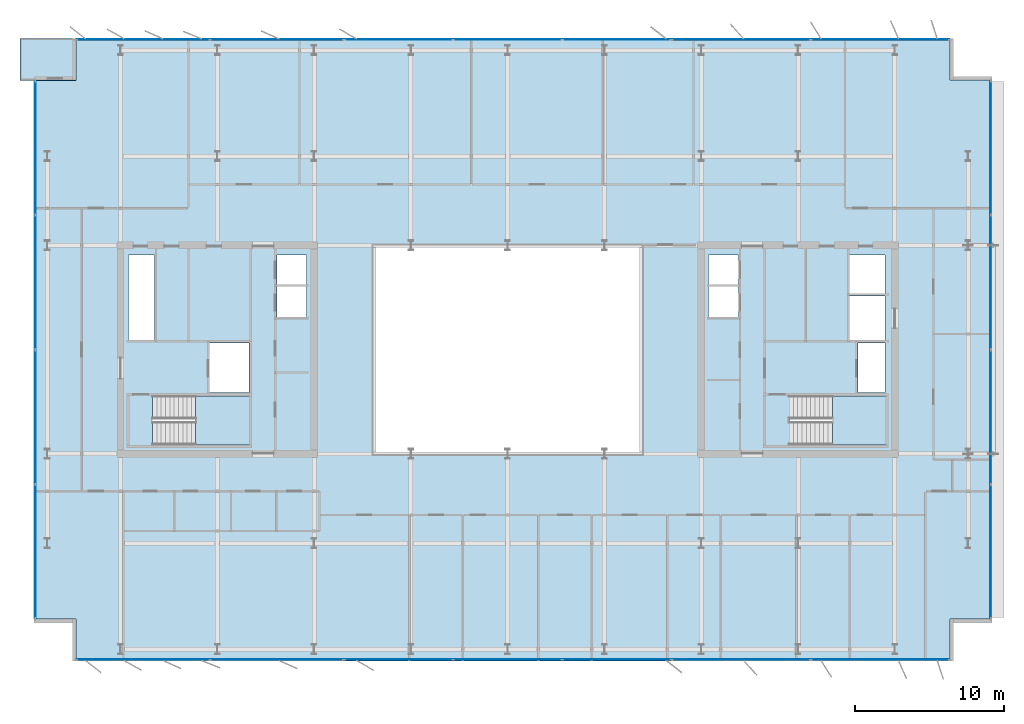
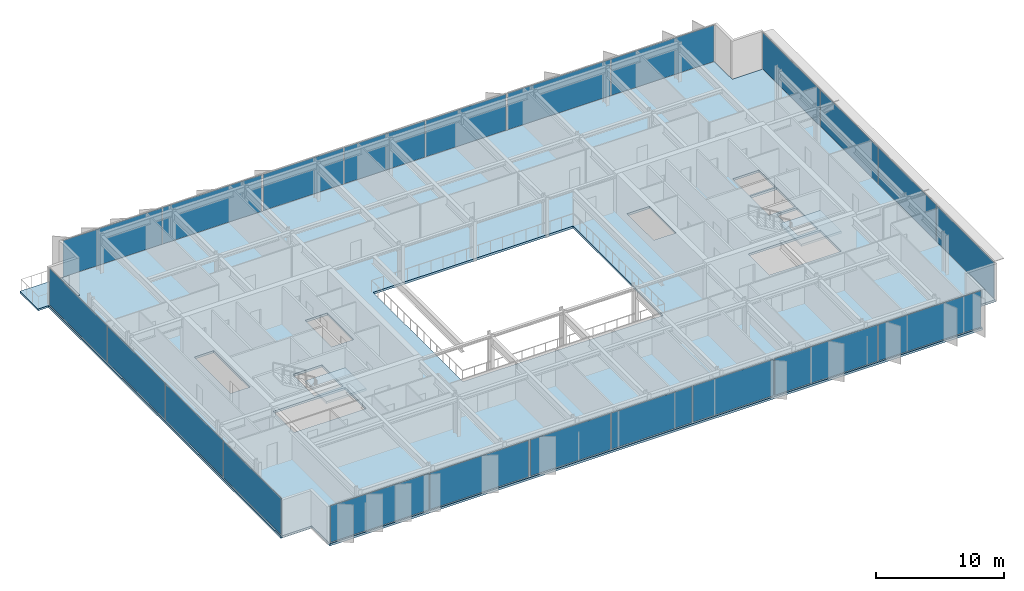
# One storey, part 11 of 20: 22 plates, 4 slabs, 10 elements without a shape of their own.
"""IFC4 building model written with IfcOpenShell, lengths in metres."""

import ifcopenshell
import ifcopenshell.guid

model = None  # the IFC model being written
_history = None  # IfcOwnerHistory: only IFC2X3 demands one
_inside = {}  # id of a spatial element -> (the spatial element, [elements in it])
_under = {}  # id of a project, library or spatial element -> (it, [spatial elements below it])
_declared = {}  # id of a project -> (the project, [libraries it declares])
_typed = {}  # id of a type object -> (the type object, [elements of that type])
_made_of = {}  # id of a material, layer set ... -> (it, [elements and type objects made of it])


def new_model(schema):
    """Start an empty IFC model of exactly this schema.

    Asked for "IFC4X3", IfcOpenShell would pick the latest addendum, in which some entities
    have other attributes; the version numbers below select the first issue.
    IFC2X3 requires an IfcOwnerHistory on every rooted entity: one is made here for all.
    """
    global model, _history
    if schema == "IFC4X3":
        model = ifcopenshell.file(schema_version=(4, 3, 0, 0))
    else:
        model = ifcopenshell.file(schema=schema)
    _inside.clear()
    _under.clear()
    _declared.clear()
    _typed.clear()
    _made_of.clear()
    _history = None
    if model.schema == "IFC2X3":
        org = make("IfcOrganization", Name="unknown")
        user = make(
            "IfcPersonAndOrganization",
            ThePerson=make("IfcPerson", FamilyName="unknown"),
            TheOrganization=org,
        )
        app = make(
            "IfcApplication",
            ApplicationDeveloper=org,
            Version="unknown",
            ApplicationFullName="unknown",
            ApplicationIdentifier="unknown",
        )
        _history = make(
            "IfcOwnerHistory",
            OwningUser=user,
            OwningApplication=app,
            ChangeAction="ADDED",
            CreationDate=0,
        )
    return model


def make(cls, **values):
    """One entity of the class cls with the attributes given. An attribute that is None is left unset."""
    return model.create_entity(
        cls, **{name: value for name, value in values.items() if value is not None}
    )


def rooted(cls, **values):
    """An entity with a GlobalId (a new one), such as an element, a storey or a relation."""
    return make(cls, GlobalId=ifcopenshell.guid.new(), OwnerHistory=_history, **values)


def si_unit(unit_type, name, prefix=None):
    """IfcSIUnit, for example si_unit("LENGTHUNIT", "METRE", prefix="MILLI")."""
    return make("IfcSIUnit", UnitType=unit_type, Prefix=prefix, Name=name)


def assignment(units):
    """IfcUnitAssignment: the units of a project."""
    return None if units is None else make("IfcUnitAssignment", Units=units)


def point(xyz):
    """IfcCartesianPoint."""
    return None if xyz is None else make("IfcCartesianPoint", Coordinates=xyz)


def direction(xyz):
    """IfcDirection."""
    return None if xyz is None else make("IfcDirection", DirectionRatios=xyz)


def frame(location, z_axis=None, x_axis=None):
    """IfcAxis2Placement3D, a coordinate frame: its origin and axes. An axis left out is left unset."""
    return make(
        "IfcAxis2Placement3D",
        Location=point(location),
        Axis=direction(z_axis),
        RefDirection=direction(x_axis),
    )


def frame_2d(location, x_axis=None):
    """IfcAxis2Placement2D, a coordinate frame in the plane: its origin and x axis."""
    return make(
        "IfcAxis2Placement2D", Location=point(location), RefDirection=direction(x_axis)
    )


def origin():
    """The frame at (0, 0, 0) with its axes left unset."""
    return frame((0.0, 0.0, 0.0))


def origin_2d():
    """The frame at (0, 0) in the plane with its x axis left unset."""
    return frame_2d((0.0, 0.0))


def place(relative_to, where):
    """IfcLocalPlacement: puts the frame where relative to a parent placement (None: the world)."""
    return make(
        "IfcLocalPlacement", PlacementRelTo=relative_to, RelativePlacement=where
    )


def context(
    kind, dimensions, precision=None, world=None, true_north=None, identifier=None
):
    """IfcGeometricRepresentationContext, for example the 3D "Model" context."""
    return make(
        "IfcGeometricRepresentationContext",
        ContextIdentifier=identifier,
        ContextType=kind,
        CoordinateSpaceDimension=dimensions,
        Precision=precision,
        WorldCoordinateSystem=world,
        TrueNorth=true_north,
    )


def subcontext(parent, identifier, kind, view, scale=None):
    """IfcGeometricRepresentationSubContext, for example "Body" below "Model"."""
    return make(
        "IfcGeometricRepresentationSubContext",
        ContextIdentifier=identifier,
        ContextType=kind,
        ParentContext=parent,
        TargetScale=scale,
        TargetView=view,
    )


def project(units=None, contexts=None):
    """IfcProject with its units and contexts."""
    return rooted(
        "IfcProject",
        Name="project",
        RepresentationContexts=contexts,
        UnitsInContext=assignment(units),
    )


def spatial(cls, under=None, at=None, **own):
    """A site, building, storey or space (cls), placed at a placement, below another one or the project."""
    s = rooted(cls, ObjectPlacement=at, **own)
    if under is not None:
        _under.setdefault(under.id(), (under, []))[1].append(s)
    return s


def polyline(points):
    """IfcPolyline through the points."""
    return make("IfcPolyline", Points=[point(p) for p in points])


def profile(cls, at=None, kind="AREA", **sizes):
    """A parametric profile (cls). Its sizes go by their IFC names, for example OverallWidth=200.0."""
    return make(cls, ProfileType=kind, Position=at, **sizes)


def rectangle(**sizes):
    """IfcRectangleProfileDef."""
    return profile("IfcRectangleProfileDef", **sizes)


def outline(outer, holes=None, kind="AREA"):
    """IfcArbitraryClosedProfileDef: a profile drawn as a closed curve; with holes, ...WithVoids."""
    if holes is None:
        return make("IfcArbitraryClosedProfileDef", ProfileType=kind, OuterCurve=outer)
    return make(
        "IfcArbitraryProfileDefWithVoids",
        ProfileType=kind,
        OuterCurve=outer,
        InnerCurves=holes,
    )


def extrude(swept, where, along, depth):
    """IfcExtrudedAreaSolid: the profile swept, set in the frame where, extruded along a direction by depth."""
    return make(
        "IfcExtrudedAreaSolid",
        SweptArea=swept,
        Position=where,
        ExtrudedDirection=direction(along),
        Depth=depth,
    )


def shape(context_of_items, identifier, shape_type, items):
    """IfcShapeRepresentation: the items that make up one representation, for example the "Body"."""
    return make(
        "IfcShapeRepresentation",
        ContextOfItems=context_of_items,
        RepresentationIdentifier=identifier,
        RepresentationType=shape_type,
        Items=items,
    )


def material(Name=None, Category=None):
    """IfcMaterial."""
    return make("IfcMaterial", Name=Name, Category=Category)


def layer(
    of_material, thickness, ventilated=None, Name=None, Category=None, Priority=None
):
    """IfcMaterialLayer: one layer of a wall or slab, of a material (None: an air gap)."""
    return make(
        "IfcMaterialLayer",
        Material=of_material,
        LayerThickness=thickness,
        IsVentilated=ventilated,
        Name=Name,
        Category=Category,
        Priority=Priority,
    )


def layer_set(layers, Name=None):
    """IfcMaterialLayerSet."""
    return make("IfcMaterialLayerSet", MaterialLayers=layers, LayerSetName=Name)


def made_of(thing, what):
    """Note that an element or type object is made of a material, layer set ...; save() writes the relation."""
    if what is not None:
        _made_of.setdefault(what.id(), (what, []))[1].append(thing)
    return thing


def type_object(cls, material=None, **own):
    """A type object (cls), such as IfcWallType, which elements share."""
    return made_of(rooted(cls, **own), material)


def element(
    cls,
    number,
    at=None,
    inside=None,
    cuts=None,
    type_object=None,
    material=None,
    context=None,
    identifier="Body",
    shape_type=None,
    held_by="IfcProductDefinitionShape",
    body=None,
    shapes=None,
    **own,
):
    """One element of the class cls, such as IfcWall. Its Tag is "e" and its number.

    at: its placement. inside: the storey or other place that contains it. cuts: it is an
    opening in that element (IfcRelVoidsElement). A single representation is given by context,
    identifier, shape_type and body (its items); several are given by shapes. held_by: the class
    of the entity that holds the representations. save() writes the other relations.
    """
    e = rooted(cls, Tag="e%d" % number, ObjectPlacement=at, **own)
    if body is not None:
        shapes = [shape(context, identifier, shape_type, body)]
    if shapes is not None:
        e.Representation = make(held_by, Representations=shapes)
    if inside is not None:
        _inside.setdefault(inside.id(), (inside, []))[1].append(e)
    if cuts is not None:
        rooted(
            "IfcRelVoidsElement", RelatingBuildingElement=cuts, RelatedOpeningElement=e
        )
    if type_object is not None:
        _typed.setdefault(type_object.id(), (type_object, []))[1].append(e)
    return made_of(e, material)


def aggregate(whole, parts):
    """IfcRelAggregates: a whole, such as a stair, and the parts it consists of."""
    return rooted("IfcRelAggregates", RelatingObject=whole, RelatedObjects=parts)


def save(model, path):
    """Write the relations noted so far, then the file.

    IfcRelAggregates (storeys below a building ...), IfcRelContainedInSpatialStructure (elements
    in a storey), IfcRelDefinesByType, IfcRelAssociatesMaterial and IfcRelDeclares: one each for
    every whole, place, type object, material and project.
    """
    for whole, parts in _under.values():
        aggregate(whole, parts)
    for where, things in _inside.values():
        rooted(
            "IfcRelContainedInSpatialStructure",
            RelatedElements=things,
            RelatingStructure=where,
        )
    for kind, things in _typed.values():
        rooted("IfcRelDefinesByType", RelatedObjects=things, RelatingType=kind)
    for what, things in _made_of.values():
        rooted("IfcRelAssociatesMaterial", RelatedObjects=things, RelatingMaterial=what)
    for by, libraries in _declared.values():
        rooted("IfcRelDeclares", RelatingContext=by, RelatedDefinitions=libraries)
    model.write(path)


model = new_model("IFC4")

# Units and contexts
model_context = context("Model", 3, precision=1e-05, world=origin(), true_north=direction((0.0, 1.0)))
body_context = subcontext(model_context, "Body", "Model", "MODEL_VIEW")
ifc_project = project(units=[si_unit("LENGTHUNIT", "METRE"), si_unit("AREAUNIT", "SQUARE_METRE"), si_unit("VOLUMEUNIT", "CUBIC_METRE"), si_unit("PLANEANGLEUNIT", "RADIAN"), si_unit("MASSUNIT", "GRAM", prefix="KILO")], contexts=[model_context])

# Site, building, storey
site_placement = place(None, origin())
site = spatial("IfcSite", under=ifc_project, at=site_placement, CompositionType="ELEMENT")
building_placement = place(site_placement, origin())
building = spatial("IfcBuilding", under=site, at=building_placement, Name="Putna Gate Headquarters", CompositionType="ELEMENT")
storey_placement = place(building_placement, frame((0.0, 0.0, 270.800048828125)))
storey = spatial("IfcBuildingStorey", under=building, at=storey_placement, Name="L68", CompositionType="ELEMENT", Elevation=270.800048828125)

# Stair, slab
ifc_material_1 = material(Name="Concrete C40/50", Category="concrete")
stair_type_1 = type_object("IfcStairType", Name="STAIR-ST1", PredefinedType="HALF_TURN_STAIR", material=ifc_material_1)
stair_1_placement = place(storey_placement, origin())
stair_1 = element("IfcStair", 1, at=stair_1_placement, inside=storey, type_object=stair_type_1, Name="L68 West Core Exit Stair ST1", PredefinedType="HALF_TURN_STAIR")
ifc_layer_1 = layer(ifc_material_1, 0.199951171875)
ifc_layer_set_1 = layer_set([ifc_layer_1], Name="Concrete C40/50")
slab_type_1 = type_object("IfcSlabType", Name="LANDING-ST1", PredefinedType="LANDING", material=ifc_layer_set_1)
slab_1_placement = place(storey_placement, frame((0.0, 0.0, 1.699951171875)))
slab_1 = element("IfcSlab", 2, at=slab_1_placement, type_object=slab_type_1, Name="ST1 landing 1", PredefinedType="LANDING", context=body_context, shape_type="SweptSolid", body=[
    extrude(outline(polyline([(18.050048828125, 19.60009765625), (21.64990234375, 19.60009765625), (21.64990234375, 22.89990234375), (18.050048828125, 22.89990234375), (18.050048828125, 19.60009765625)])), origin(), (0.0, 0.0, 1.0), 0.199951171875),
])
aggregate(stair_1, [slab_1])

stair_type_2 = type_object("IfcStairType", Name="STAIR-ST2", PredefinedType="HALF_TURN_STAIR", material=ifc_material_1)
stair_2_placement = place(storey_placement, origin())
stair_2 = element("IfcStair", 3, at=stair_2_placement, inside=storey, type_object=stair_type_2, Name="L68 East Core Exit Stair ST2", PredefinedType="HALF_TURN_STAIR")
ifc_layer_2 = layer(ifc_material_1, 0.199951171875)
ifc_layer_set_2 = layer_set([ifc_layer_2], Name="Concrete C40/50")
slab_type_2 = type_object("IfcSlabType", Name="LANDING-ST2", PredefinedType="LANDING", material=ifc_layer_set_2)
slab_2_placement = place(storey_placement, frame((0.0, 0.0, 1.699951171875)))
slab_2 = element("IfcSlab", 4, at=slab_2_placement, type_object=slab_type_2, Name="ST2 landing 1", PredefinedType="LANDING", context=body_context, shape_type="SweptSolid", body=[
    extrude(outline(polyline([(60.800048828125, 19.60009765625), (64.39990234375, 19.60009765625), (64.39990234375, 22.89990234375), (60.800048828125, 22.89990234375), (60.800048828125, 19.60009765625)])), origin(), (0.0, 0.0, 1.0), 0.199951171875),
])
aggregate(stair_2, [slab_2])

# Curtain wall, plates
ifc_material_2 = material(Name="Anodised bronze aluminium curtain wall", Category="aluminium")
ifc_layer_3 = layer(ifc_material_2, 0.179931640625)
ifc_layer_set_3 = layer_set([ifc_layer_3], Name="Anodised bronze aluminium curtain wall")
curtain_wall_type_1 = type_object("IfcCurtainWallType", Name="CW-SYS-Z5", PredefinedType="USERDEFINED", material=ifc_layer_set_3)
curtain_wall_1_placement = place(storey_placement, origin())
curtain_wall_1 = element("IfcCurtainWall", 5, at=curtain_wall_1_placement, inside=storey, type_object=curtain_wall_type_1, Name="L68 South West Curtain Wall", ObjectType="STICK CURTAIN WALL", PredefinedType="USERDEFINED")
ifc_material_3 = material(Name="Solar-control triple low-E glass", Category="glass")
ifc_layer_4 = layer(ifc_material_3, 0.033935546875)
ifc_layer_set_4 = layer_set([ifc_layer_4], Name="Solar-control triple low-E glass")
plate_type_1 = type_object("IfcPlateType", Name="PAN-CWP-5", PredefinedType="CURTAIN_PANEL", material=ifc_layer_set_4)
plate_1_placement = place(storey_placement, frame((14.517578125, 5.179931640625, 0.06005859375), z_axis=(0.0, 0.0, 1.0), x_axis=(1.0, 0.0, 0.0)))
plate_1 = element("IfcPlate", 6, at=plate_1_placement, type_object=plate_type_1, Name="CWS-5 panel 1.1", PredefinedType="CURTAIN_PANEL", context=body_context, shape_type="SweptSolid", body=[
    extrude(rectangle(XDim=8.89501953125, YDim=0.033935546875, at=origin_2d()), origin(), (0.0, 0.0, 1.0), 3.468017578125),
])
plate_2_placement = place(storey_placement, frame((23.482421875, 5.179931640625, 0.06005859375), z_axis=(0.0, 0.0, 1.0), x_axis=(1.0, 0.0, 0.0)))
plate_2 = element("IfcPlate", 7, at=plate_2_placement, type_object=plate_type_1, Name="CWS-5 panel 2.1", PredefinedType="CURTAIN_PANEL", context=body_context, shape_type="SweptSolid", body=[
    extrude(rectangle(XDim=8.89501953125, YDim=0.033935546875, at=origin_2d()), origin(), (0.0, 0.0, 1.0), 3.468017578125),
])
aggregate(curtain_wall_1, [plate_1, plate_2])

curtain_wall_2_placement = place(storey_placement, origin())
curtain_wall_2 = element("IfcCurtainWall", 8, at=curtain_wall_2_placement, inside=storey, type_object=curtain_wall_type_1, Name="L68 South East Curtain Wall", ObjectType="STICK CURTAIN WALL", PredefinedType="USERDEFINED")
plate_3_placement = place(storey_placement, frame((54.695556640625, 5.179931640625, 0.06005859375), z_axis=(0.0, 0.0, 1.0), x_axis=(1.0, 0.0, 0.0)))
plate_3 = element("IfcPlate", 9, at=plate_3_placement, type_object=plate_type_1, Name="CWS-5 panel 1.1", PredefinedType="CURTAIN_PANEL", context=body_context, shape_type="SweptSolid", body=[
    extrude(rectangle(XDim=9.25146484375, YDim=0.033935546875, at=origin_2d()), origin(), (0.0, 0.0, 1.0), 3.468017578125),
])
plate_4_placement = place(storey_placement, frame((64.01708984375, 5.179931640625, 0.06005859375), z_axis=(0.0, 0.0, 1.0), x_axis=(1.0, 0.0, 0.0)))
plate_4 = element("IfcPlate", 10, at=plate_4_placement, type_object=plate_type_1, Name="CWS-5 panel 2.1", PredefinedType="CURTAIN_PANEL", context=body_context, shape_type="SweptSolid", body=[
    extrude(rectangle(XDim=9.25146484375, YDim=0.033935546875, at=origin_2d()), origin(), (0.0, 0.0, 1.0), 3.468017578125),
])
aggregate(curtain_wall_2, [plate_3, plate_4])

curtain_wall_3_placement = place(storey_placement, origin())
curtain_wall_3 = element("IfcCurtainWall", 11, at=curtain_wall_3_placement, inside=storey, type_object=curtain_wall_type_1, Name="L68 North West Curtain Wall", ObjectType="STICK CURTAIN WALL", PredefinedType="USERDEFINED")
plate_5_placement = place(storey_placement, frame((14.517578125, 46.820068359375, 0.06005859375), z_axis=(0.0, 0.0, 1.0), x_axis=(1.0, 0.0, 0.0)))
plate_5 = element("IfcPlate", 12, at=plate_5_placement, type_object=plate_type_1, Name="CWS-5 panel 1.1", PredefinedType="CURTAIN_PANEL", context=body_context, shape_type="SweptSolid", body=[
    extrude(rectangle(XDim=8.89501953125, YDim=0.033935546875, at=origin_2d()), origin(), (0.0, 0.0, 1.0), 3.468017578125),
])
plate_6_placement = place(storey_placement, frame((23.482421875, 46.820068359375, 0.06005859375), z_axis=(0.0, 0.0, 1.0), x_axis=(1.0, 0.0, 0.0)))
plate_6 = element("IfcPlate", 13, at=plate_6_placement, type_object=plate_type_1, Name="CWS-5 panel 2.1", PredefinedType="CURTAIN_PANEL", context=body_context, shape_type="SweptSolid", body=[
    extrude(rectangle(XDim=8.89501953125, YDim=0.033935546875, at=origin_2d()), origin(), (0.0, 0.0, 1.0), 3.468017578125),
])
aggregate(curtain_wall_3, [plate_5, plate_6])

curtain_wall_4_placement = place(storey_placement, origin())
curtain_wall_4 = element("IfcCurtainWall", 14, at=curtain_wall_4_placement, inside=storey, type_object=curtain_wall_type_1, Name="L68 North East Curtain Wall", ObjectType="STICK CURTAIN WALL", PredefinedType="USERDEFINED")
plate_7_placement = place(storey_placement, frame((54.695556640625, 46.820068359375, 0.06005859375), z_axis=(0.0, 0.0, 1.0), x_axis=(1.0, 0.0, 0.0)))
plate_7 = element("IfcPlate", 15, at=plate_7_placement, type_object=plate_type_1, Name="CWS-5 panel 1.1", PredefinedType="CURTAIN_PANEL", context=body_context, shape_type="SweptSolid", body=[
    extrude(rectangle(XDim=9.25146484375, YDim=0.033935546875, at=origin_2d()), origin(), (0.0, 0.0, 1.0), 3.468017578125),
])
plate_8_placement = place(storey_placement, frame((64.01708984375, 46.820068359375, 0.06005859375), z_axis=(0.0, 0.0, 1.0), x_axis=(1.0, 0.0, 0.0)))
plate_8 = element("IfcPlate", 16, at=plate_8_placement, type_object=plate_type_1, Name="CWS-5 panel 2.1", PredefinedType="CURTAIN_PANEL", context=body_context, shape_type="SweptSolid", body=[
    extrude(rectangle(XDim=9.25146484375, YDim=0.033935546875, at=origin_2d()), origin(), (0.0, 0.0, 1.0), 3.468017578125),
])
aggregate(curtain_wall_4, [plate_7, plate_8])

curtain_wall_5_placement = place(storey_placement, origin())
curtain_wall_5 = element("IfcCurtainWall", 17, at=curtain_wall_5_placement, inside=storey, type_object=curtain_wall_type_1, Name="L68 West Curtain Wall", ObjectType="STICK CURTAIN WALL", PredefinedType="USERDEFINED")
plate_9_placement = place(storey_placement, frame((7.280029296875, 12.4423828125, 0.06005859375), z_axis=(0.0, 0.0, 1.0), x_axis=(0.0, 1.0, 0.0)))
plate_9 = element("IfcPlate", 18, at=plate_9_placement, type_object=plate_type_1, Name="CWS-5 panel 1.1", PredefinedType="CURTAIN_PANEL", context=body_context, shape_type="SweptSolid", body=[
    extrude(rectangle(XDim=8.945068359375, YDim=0.033935546875, at=origin_2d()), origin(), (0.0, 0.0, 1.0), 3.468017578125),
])
plate_10_placement = place(storey_placement, frame((7.280029296875, 21.47509765625, 0.06005859375), z_axis=(0.0, 0.0, 1.0), x_axis=(0.0, 1.0, 0.0)))
plate_10 = element("IfcPlate", 19, at=plate_10_placement, type_object=plate_type_1, Name="CWS-5 panel 2.1", PredefinedType="CURTAIN_PANEL", context=body_context, shape_type="SweptSolid", body=[
    extrude(rectangle(XDim=8.97998046875, YDim=0.033935546875, at=origin_2d()), origin(), (0.0, 0.0, 1.0), 3.468017578125),
])
plate_11_placement = place(storey_placement, frame((7.280029296875, 30.52490234375, 0.06005859375), z_axis=(0.0, 0.0, 1.0), x_axis=(0.0, 1.0, 0.0)))
plate_11 = element("IfcPlate", 20, at=plate_11_placement, type_object=plate_type_1, Name="CWS-5 panel 3.1", PredefinedType="CURTAIN_PANEL", context=body_context, shape_type="SweptSolid", body=[
    extrude(rectangle(XDim=8.97998046875, YDim=0.033935546875, at=origin_2d()), origin(), (0.0, 0.0, 1.0), 3.468017578125),
])
plate_12_placement = place(storey_placement, frame((7.280029296875, 39.5576171875, 0.06005859375), z_axis=(0.0, 0.0, 1.0), x_axis=(0.0, 1.0, 0.0)))
plate_12 = element("IfcPlate", 21, at=plate_12_placement, type_object=plate_type_1, Name="CWS-5 panel 4.1", PredefinedType="CURTAIN_PANEL", context=body_context, shape_type="SweptSolid", body=[
    extrude(rectangle(XDim=8.945068359375, YDim=0.033935546875, at=origin_2d()), origin(), (0.0, 0.0, 1.0), 3.468017578125),
])
aggregate(curtain_wall_5, [plate_9, plate_10, plate_11, plate_12])

curtain_wall_6_placement = place(storey_placement, origin())
curtain_wall_6 = element("IfcCurtainWall", 22, at=curtain_wall_6_placement, inside=storey, type_object=curtain_wall_type_1, Name="L68 East Curtain Wall", ObjectType="STICK CURTAIN WALL", PredefinedType="USERDEFINED")
plate_13_placement = place(storey_placement, frame((71.4326171875, 12.4423828125, 0.06005859375), z_axis=(0.0, 0.0, 1.0), x_axis=(0.0, 1.0, 0.0)))
plate_13 = element("IfcPlate", 23, at=plate_13_placement, type_object=plate_type_1, Name="CWS-5 panel 1.1", PredefinedType="CURTAIN_PANEL", context=body_context, shape_type="SweptSolid", body=[
    extrude(rectangle(XDim=8.945068359375, YDim=0.033935546875, at=origin_2d()), origin(), (0.0, 0.0, 1.0), 3.468017578125),
])
plate_14_placement = place(storey_placement, frame((71.4326171875, 21.47509765625, 0.06005859375), z_axis=(0.0, 0.0, 1.0), x_axis=(0.0, 1.0, 0.0)))
plate_14 = element("IfcPlate", 24, at=plate_14_placement, type_object=plate_type_1, Name="CWS-5 panel 2.1", PredefinedType="CURTAIN_PANEL", context=body_context, shape_type="SweptSolid", body=[
    extrude(rectangle(XDim=8.97998046875, YDim=0.033935546875, at=origin_2d()), origin(), (0.0, 0.0, 1.0), 3.468017578125),
])
plate_15_placement = place(storey_placement, frame((71.4326171875, 30.52490234375, 0.06005859375), z_axis=(0.0, 0.0, 1.0), x_axis=(0.0, 1.0, 0.0)))
plate_15 = element("IfcPlate", 25, at=plate_15_placement, type_object=plate_type_1, Name="CWS-5 panel 3.1", PredefinedType="CURTAIN_PANEL", context=body_context, shape_type="SweptSolid", body=[
    extrude(rectangle(XDim=8.97998046875, YDim=0.033935546875, at=origin_2d()), origin(), (0.0, 0.0, 1.0), 3.468017578125),
])
plate_16_placement = place(storey_placement, frame((71.4326171875, 39.5576171875, 0.06005859375), z_axis=(0.0, 0.0, 1.0), x_axis=(0.0, 1.0, 0.0)))
plate_16 = element("IfcPlate", 26, at=plate_16_placement, type_object=plate_type_1, Name="CWS-5 panel 4.1", PredefinedType="CURTAIN_PANEL", context=body_context, shape_type="SweptSolid", body=[
    extrude(rectangle(XDim=8.945068359375, YDim=0.033935546875, at=origin_2d()), origin(), (0.0, 0.0, 1.0), 3.468017578125),
])
aggregate(curtain_wall_6, [plate_13, plate_14, plate_15, plate_16])

ifc_layer_5 = layer(ifc_material_2, 0.179931640625)
ifc_layer_set_5 = layer_set([ifc_layer_5], Name="Anodised bronze aluminium curtain wall")
curtain_wall_type_2 = type_object("IfcCurtainWallType", Name="CW-SYS-ATR", PredefinedType="USERDEFINED", material=ifc_layer_set_5)
curtain_wall_7_placement = place(storey_placement, origin())
curtain_wall_7 = element("IfcCurtainWall", 27, at=curtain_wall_7_placement, inside=storey, type_object=curtain_wall_type_2, Name="L68 South Atrium Clear Glazing", ObjectType="ATRIUM GLAZING", PredefinedType="USERDEFINED")
ifc_material_4 = material(Name="Clear low-iron triple glazing", Category="glass")
ifc_layer_6 = layer(ifc_material_4, 0.0400390625)
ifc_layer_set_6 = layer_set([ifc_layer_6], Name="Clear low-iron triple glazing")
plate_type_2 = type_object("IfcPlateType", Name="PAN-CWP-AT", PredefinedType="CURTAIN_PANEL", material=ifc_layer_set_6)
plate_17_placement = place(storey_placement, frame((31.68408203125, 5.179931640625, 0.06982421875), z_axis=(0.0, 0.0, 1.0), x_axis=(1.0, 0.0, 0.0)))
plate_17 = element("IfcPlate", 28, at=plate_17_placement, type_object=plate_type_2, Name="CWS-AT panel 1.1", PredefinedType="CURTAIN_PANEL", context=body_context, shape_type="SweptSolid", body=[
    extrude(rectangle(XDim=7.228271484375, YDim=0.0400390625, at=origin_2d()), origin(), (0.0, 0.0, 1.0), 3.447998046875),
])
plate_18_placement = place(storey_placement, frame((39.0, 5.179931640625, 0.06982421875), z_axis=(0.0, 0.0, 1.0), x_axis=(1.0, 0.0, 0.0)))
plate_18 = element("IfcPlate", 29, at=plate_18_placement, type_object=plate_type_2, Name="CWS-AT panel 2.1", PredefinedType="CURTAIN_PANEL", context=body_context, shape_type="SweptSolid", body=[
    extrude(rectangle(XDim=7.263427734375, YDim=0.0400390625, at=origin_2d()), origin(), (0.0, 0.0, 1.0), 3.447998046875),
])
plate_19_placement = place(storey_placement, frame((46.31591796875, 5.179931640625, 0.06982421875), z_axis=(0.0, 0.0, 1.0), x_axis=(1.0, 0.0, 0.0)))
plate_19 = element("IfcPlate", 30, at=plate_19_placement, type_object=plate_type_2, Name="CWS-AT panel 3.1", PredefinedType="CURTAIN_PANEL", context=body_context, shape_type="SweptSolid", body=[
    extrude(rectangle(XDim=7.228271484375, YDim=0.0400390625, at=origin_2d()), origin(), (0.0, 0.0, 1.0), 3.447998046875),
])
aggregate(curtain_wall_7, [plate_17, plate_18, plate_19])

curtain_wall_8_placement = place(storey_placement, origin())
curtain_wall_8 = element("IfcCurtainWall", 31, at=curtain_wall_8_placement, inside=storey, type_object=curtain_wall_type_2, Name="L68 North Atrium Clear Glazing", ObjectType="ATRIUM GLAZING", PredefinedType="USERDEFINED")
plate_20_placement = place(storey_placement, frame((31.68408203125, 46.820068359375, 0.06982421875), z_axis=(0.0, 0.0, 1.0), x_axis=(1.0, 0.0, 0.0)))
plate_20 = element("IfcPlate", 32, at=plate_20_placement, type_object=plate_type_2, Name="CWS-AT panel 1.1", PredefinedType="CURTAIN_PANEL", context=body_context, shape_type="SweptSolid", body=[
    extrude(rectangle(XDim=7.228271484375, YDim=0.0400390625, at=origin_2d()), origin(), (0.0, 0.0, 1.0), 3.447998046875),
])
plate_21_placement = place(storey_placement, frame((39.0, 46.820068359375, 0.06982421875), z_axis=(0.0, 0.0, 1.0), x_axis=(1.0, 0.0, 0.0)))
plate_21 = element("IfcPlate", 33, at=plate_21_placement, type_object=plate_type_2, Name="CWS-AT panel 2.1", PredefinedType="CURTAIN_PANEL", context=body_context, shape_type="SweptSolid", body=[
    extrude(rectangle(XDim=7.263427734375, YDim=0.0400390625, at=origin_2d()), origin(), (0.0, 0.0, 1.0), 3.447998046875),
])
plate_22_placement = place(storey_placement, frame((46.31591796875, 46.820068359375, 0.06982421875), z_axis=(0.0, 0.0, 1.0), x_axis=(1.0, 0.0, 0.0)))
plate_22 = element("IfcPlate", 34, at=plate_22_placement, type_object=plate_type_2, Name="CWS-AT panel 3.1", PredefinedType="CURTAIN_PANEL", context=body_context, shape_type="SweptSolid", body=[
    extrude(rectangle(XDim=7.228271484375, YDim=0.0400390625, at=origin_2d()), origin(), (0.0, 0.0, 1.0), 3.447998046875),
])
aggregate(curtain_wall_8, [plate_20, plate_21, plate_22])

# Slabs
ifc_layer_7 = layer(ifc_material_1, 0.179931640625)
ifc_layer_set_7 = layer_set([ifc_layer_7], Name="Concrete C40/50")
slab_type_3 = type_object("IfcSlabType", Name="SLAB-TERRACE-180", PredefinedType="FLOOR", material=ifc_layer_set_7)
slab_3_placement = place(storey_placement, frame((0.0, 0.0, -0.179931640625)))
element("IfcSlab", 35, at=slab_3_placement, inside=storey, type_object=slab_type_3, Name="L68 Spiral Sky-Garden Terrace Slab (NW)", PredefinedType="FLOOR", context=body_context, shape_type="SweptSolid", body=[
    extrude(outline(polyline([(6.25, 44.092041015625), (10.008056640625, 44.092041015625), (10.008056640625, 46.89990234375), (6.25, 46.89990234375), (6.25, 44.092041015625)])), origin(), (0.0, 0.0, 1.0), 0.179931640625),
])
ifc_layer_8 = layer(ifc_material_1, 0.2119140625)
ifc_layer_set_8 = layer_set([ifc_layer_8], Name="Concrete C40/50")
slab_type_4 = type_object("IfcSlabType", Name="SLAB-Z5-212", PredefinedType="FLOOR", material=ifc_layer_set_8)
slab_4_placement = place(storey_placement, frame((0.0, 0.0, -0.212158203125)))
element("IfcSlab", 36, at=slab_4_placement, inside=storey, type_object=slab_type_4, Name="L68 Composite Floor Slab", PredefinedType="FLOOR", context=body_context, shape_type="SweptSolid", body=[
    extrude(outline(polyline([(10.0, 5.10009765625), (68.712646484375, 5.10009765625), (68.712646484375, 7.89990234375), (71.5126953125, 7.89990234375), (71.5126953125, 44.10009765625), (68.712646484375, 44.10009765625), (68.712646484375, 46.89990234375), (10.0, 46.89990234375), (10.0, 44.10009765625), (7.199951171875, 44.10009765625), (7.199951171875, 7.89990234375), (10.0, 7.89990234375), (10.0, 5.10009765625)]), holes=[polyline([(15.1650390625, 19.60009765625), (21.64990234375, 19.60009765625), (21.64990234375, 22.89990234375), (15.1650390625, 22.89990234375), (15.1650390625, 19.60009765625)]), polyline([(57.9150390625, 19.60009765625), (64.39990234375, 19.60009765625), (64.39990234375, 22.89990234375), (57.9150390625, 22.89990234375), (57.9150390625, 19.60009765625)]), polyline([(13.52001953125, 26.659912109375), (15.280029296875, 26.659912109375), (15.280029296875, 32.35009765625), (13.52001953125, 32.35009765625), (13.52001953125, 26.659912109375)]), polyline([(61.969970703125, 29.780029296875), (64.35009765625, 29.780029296875), (64.35009765625, 32.35009765625), (61.969970703125, 32.35009765625), (61.969970703125, 29.780029296875)]), polyline([(18.97998046875, 23.1201171875), (21.6201171875, 23.1201171875), (21.6201171875, 26.4599609375), (18.97998046875, 26.4599609375), (18.97998046875, 23.1201171875)]), polyline([(62.52001953125, 23.1201171875), (64.35009765625, 23.1201171875), (64.35009765625, 26.4599609375), (62.52001953125, 26.4599609375), (62.52001953125, 23.1201171875)]), polyline([(61.969970703125, 26.659912109375), (64.35009765625, 26.659912109375), (64.35009765625, 29.6201171875), (61.969970703125, 29.6201171875), (61.969970703125, 26.659912109375)]), polyline([(23.5, 28.199951171875), (25.5, 28.199951171875), (25.5, 32.35009765625), (23.5, 32.35009765625), (23.5, 28.199951171875)]), polyline([(52.47998046875, 28.199951171875), (54.5, 28.199951171875), (54.5, 32.35009765625), (52.47998046875, 32.35009765625), (52.47998046875, 28.199951171875)]), polyline([(30.0, 19.0), (48.0, 19.0), (48.0, 33.0), (30.0, 33.0), (30.0, 19.0)])]), origin(), (0.0, 0.0, 1.0), 0.212158203125),
])

save(model, "model.ifc")
